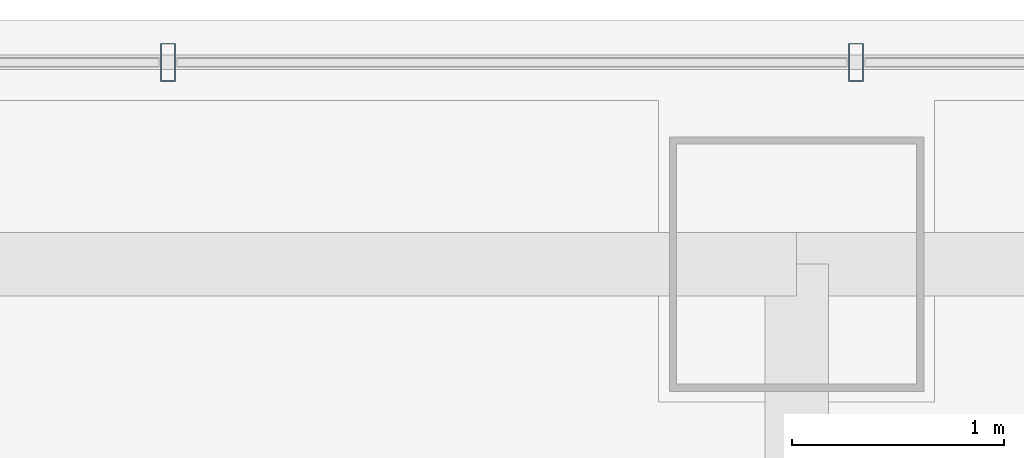
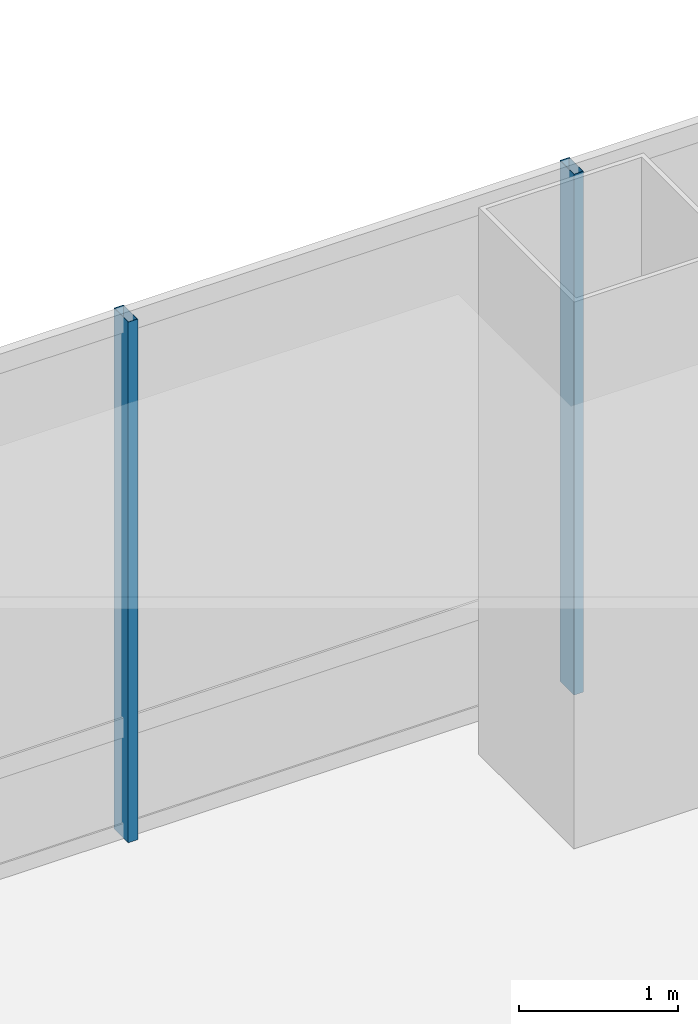
# One storey, part 29 of 42: 2 members, 1 element without a shape of its own.
"""IFC4 building model written with IfcOpenShell, lengths in metres."""

from ifc_helpers import new_model, si_unit, direction, frame, origin, origin_2d, place, context, subcontext, project, spatial, hollow_rectangle, extrude, material, material_profile, profile_set, type_object, element, aggregate, save


model = new_model("IFC4")

# Units and contexts
model_context = context("Model", 3, precision=1e-05, world=origin(), true_north=direction((0.0, 1.0)))
body_context = subcontext(model_context, "Body", "Model", "MODEL_VIEW")
ifc_project = project(units=[si_unit("LENGTHUNIT", "METRE"), si_unit("AREAUNIT", "SQUARE_METRE"), si_unit("VOLUMEUNIT", "CUBIC_METRE"), si_unit("PLANEANGLEUNIT", "RADIAN"), si_unit("MASSUNIT", "GRAM", prefix="KILO")], contexts=[model_context])

# Site, building, storey
site_placement = place(None, origin())
site = spatial("IfcSite", under=ifc_project, at=site_placement, CompositionType="ELEMENT")
building_placement = place(site_placement, origin())
building = spatial("IfcBuilding", under=site, at=building_placement, Name="Punatoya Terracotta Tower", CompositionType="ELEMENT")
storey_placement = place(building_placement, frame((0.0, 0.0, 325.800048828125)))
storey = spatial("IfcBuildingStorey", under=building, at=storey_placement, Name="L77", CompositionType="ELEMENT", Elevation=325.800048828125)

# Curtain wall, members
ifc_material_1 = material(Name="Aluminium 6063-T6 + Double Low-E Glass", Category="aluminium")
curtain_wall_type = type_object("IfcCurtainWallType", Name="CW-OBS", PredefinedType="NOTDEFINED", material=ifc_material_1)
curtain_wall_placement = place(storey_placement, origin())
curtain_wall = element("IfcCurtainWall", 1, at=curtain_wall_placement, inside=storey, type_object=curtain_wall_type, Name="L77 Curtain Wall CW-L77-N09-1", PredefinedType="NOTDEFINED")
ifc_material_2 = material(Name="Aluminium 6063-T6", Category="aluminium")
ifc_material_profile = material_profile(ifc_material_2, hollow_rectangle(XDim=0.070068359375, YDim=0.179931640625, WallThickness=0.00390625, at=origin_2d()))
ifc_profile_set = profile_set([ifc_material_profile], Name="Aluminium 6063-T6")
member_type = type_object("IfcMemberType", Name="CW-MUL-M3", PredefinedType="MULLION", material=ifc_profile_set)
member_1_placement = place(storey_placement, frame((4.0791015625, 18.449951171875, 0.0), z_axis=(0.0, 0.0, 1.0), x_axis=(1.0, 0.0, 0.0)))
member_1 = element("IfcMember", 2, at=member_1_placement, type_object=member_type, Name="CW-L77-N09-1 Mullion 04", PredefinedType="MULLION", context=body_context, shape_type="SweptSolid", body=[
    extrude(hollow_rectangle(XDim=0.070068359375, YDim=0.179931640625, WallThickness=0.00390625, at=origin_2d()), origin(), (0.0, 0.0, 1.0), 4.0),
])
member_2_placement = place(storey_placement, frame((0.839599609375, 18.449951171875, 0.0), z_axis=(0.0, 0.0, 1.0), x_axis=(1.0, 0.0, 0.0)))
member_2 = element("IfcMember", 3, at=member_2_placement, type_object=member_type, Name="CW-L77-N09-1 Mullion 05", PredefinedType="MULLION", context=body_context, shape_type="SweptSolid", body=[
    extrude(hollow_rectangle(XDim=0.070068359375, YDim=0.179931640625, WallThickness=0.00390625, at=origin_2d()), origin(), (0.0, 0.0, 1.0), 4.0),
])
aggregate(curtain_wall, [member_1, member_2])

save(model, "model.ifc")
